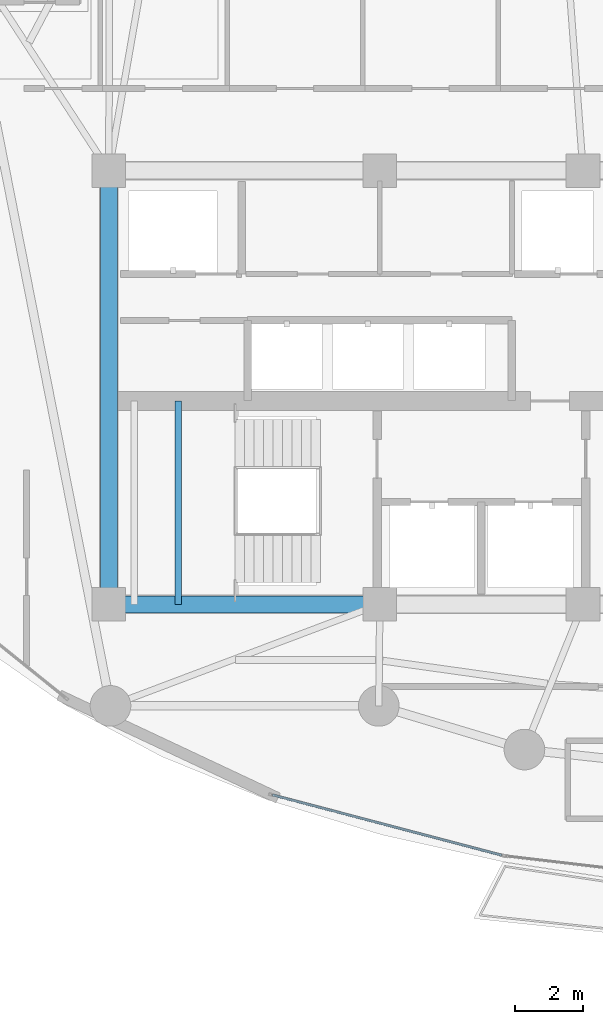
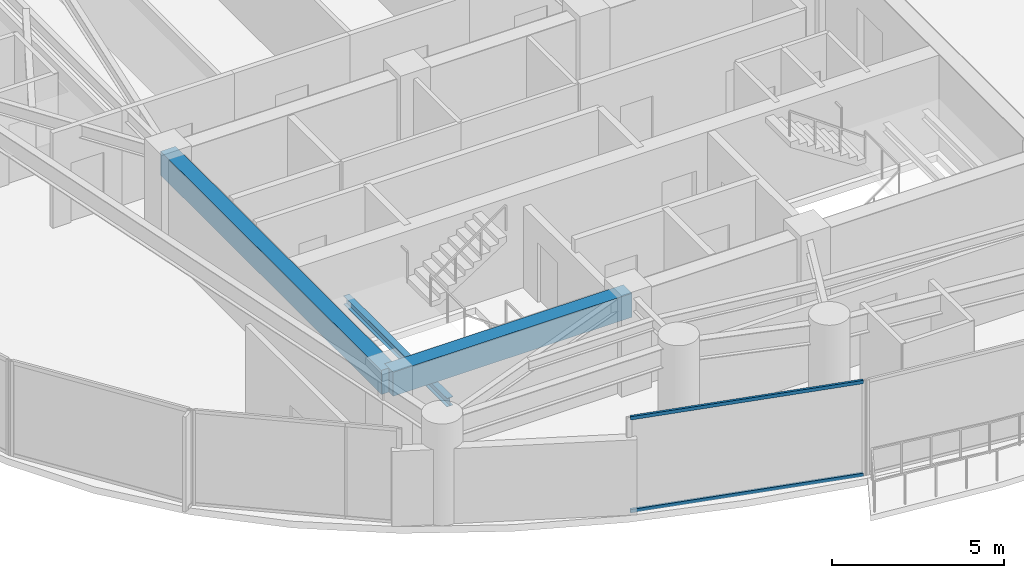
# One storey, part 4 of 34: 3 beams, 2 members, 1 element without a shape of its own.
"""IFC4 building model written with IfcOpenShell, lengths in metres."""

from ifc_helpers import new_model, si_unit, direction, frame, origin, origin_2d, place, context, subcontext, project, spatial, rectangle, hollow_rectangle, i_section, extrude, material, layer, layer_set, material_profile, profile_set, type_object, element, aggregate, save


model = new_model("IFC4")

# Units and contexts
model_context = context("Model", 3, precision=1e-05, world=origin(), true_north=direction((0.0, 1.0)))
body_context = subcontext(model_context, "Body", "Model", "MODEL_VIEW")
ifc_project = project(units=[si_unit("LENGTHUNIT", "METRE"), si_unit("AREAUNIT", "SQUARE_METRE"), si_unit("VOLUMEUNIT", "CUBIC_METRE"), si_unit("PLANEANGLEUNIT", "RADIAN"), si_unit("MASSUNIT", "GRAM", prefix="KILO")], contexts=[model_context])

# Site, building, storey
site_placement = place(None, origin())
site = spatial("IfcSite", under=ifc_project, at=site_placement, CompositionType="ELEMENT")
building_placement = place(site_placement, origin())
building = spatial("IfcBuilding", under=site, at=building_placement, Name="Kazevale Care Tower and Concert Hall", CompositionType="ELEMENT")
storey_placement = place(building_placement, frame((0.0, 0.0, 163.800048828125)))
storey = spatial("IfcBuildingStorey", under=building, at=storey_placement, Name="L43", CompositionType="ELEMENT", Elevation=163.800048828125)

# Curtain wall, members
ifc_material_1 = material(Name="Aluminium 6063-T6 and Low-E Glass", Category="aluminium")
ifc_layer = layer(ifc_material_1, 0.179931640625)
ifc_layer_set = layer_set([ifc_layer], Name="Aluminium 6063-T6 and Low-E Glass")
curtain_wall_type = type_object("IfcCurtainWallType", Name="Sheltered Concave Balcony Curtain Wall CW-5", PredefinedType="NOTDEFINED", material=ifc_layer_set)
curtain_wall_placement = place(storey_placement, origin())
curtain_wall = element("IfcCurtainWall", 1, at=curtain_wall_placement, inside=storey, type_object=curtain_wall_type, Name="cw:L43:f08", PredefinedType="NOTDEFINED")
ifc_material_2 = material(Name="Aluminium 6063-T6", Category="aluminium")
ifc_material_profile_1 = material_profile(ifc_material_2, hollow_rectangle(XDim=0.074951171875, YDim=0.1201171875, WallThickness=0.00390625, at=origin_2d()), Name="ALU75x120x4")
ifc_profile_set_1 = profile_set([ifc_material_profile_1], Name="Aluminium 6063-T6")
member_type = type_object("IfcMemberType", Name="CW-5 Transom ALU75x120x4", PredefinedType="USERDEFINED", material=ifc_profile_set_1)
member_1_placement = place(storey_placement, frame((33.598388671875, 16.193115234375, 0.037353515625), z_axis=(-0.967142752699, 0.254233939321, 0.0), x_axis=(-0.254233939321, -0.967142752699, 0.0)))
member_1 = element("IfcMember", 2, at=member_1_placement, type_object=member_type, Name="CW-5 transom 1.1", ObjectType="TRANSOM", PredefinedType="USERDEFINED", context=body_context, shape_type="SweptSolid", body=[
    extrude(hollow_rectangle(XDim=0.074951171875, YDim=0.1201171875, WallThickness=0.00390625, at=origin_2d()), origin(), (0.0, 0.0, 1.0), 6.996826171875),
])
member_2_placement = place(storey_placement, frame((33.598388671875, 16.193115234375, 3.322509765625), z_axis=(-0.967142752699, 0.254233939321, 0.0), x_axis=(-0.254233939321, -0.967142752699, 0.0)))
member_2 = element("IfcMember", 3, at=member_2_placement, type_object=member_type, Name="CW-5 transom 1.2", ObjectType="TRANSOM", PredefinedType="USERDEFINED", context=body_context, shape_type="SweptSolid", body=[
    extrude(hollow_rectangle(XDim=0.074951171875, YDim=0.1201171875, WallThickness=0.00390625, at=origin_2d()), origin(), (0.0, 0.0, 1.0), 6.996826171875),
])
aggregate(curtain_wall, [member_1, member_2])

# Beams
ifc_material_3 = material(Name="Concrete C60", Category="concrete")
ifc_material_profile_2 = material_profile(ifc_material_3, rectangle(XDim=0.5, YDim=0.85009765625, at=origin_2d()), Name="RC-B500x850")
ifc_profile_set_2 = profile_set([ifc_material_profile_2], Name="Concrete C60")
beam_type_1 = type_object("IfcBeamType", Name="Core Coupling Beam RC500x850", PredefinedType="LINTEL", material=ifc_profile_set_2)
beam_1_placement = place(storey_placement, frame((22.0, 23.60009765625, 2.93505859375), z_axis=(1.0, 0.0, 0.0), x_axis=(0.0, 1.0, 0.0)))
element("IfcBeam", 4, at=beam_1_placement, inside=storey, type_object=beam_type_1, Name="beam:L43:coretie:1", PredefinedType="LINTEL", context=body_context, shape_type="SweptSolid", body=[
    extrude(rectangle(XDim=0.5, YDim=0.85009765625, at=origin_2d()), origin(), (0.0, 0.0, 1.0), 8.0),
])
beam_2_placement = place(storey_placement, frame((22.0, 36.39990234375, 2.93505859375), z_axis=(0.0, -1.0, 0.0), x_axis=(1.0, 0.0, 0.0)))
element("IfcBeam", 5, at=beam_2_placement, inside=storey, type_object=beam_type_1, Name="beam:L43:coretie:8", PredefinedType="LINTEL", context=body_context, shape_type="SweptSolid", body=[
    extrude(rectangle(XDim=0.5, YDim=0.85009765625, at=origin_2d()), origin(), (0.0, 0.0, 1.0), 12.7998046875),
])
ifc_material_4 = material(Name="Steel ASTM A572 Gr 50", Category="steel")
ifc_material_profile_3 = material_profile(ifc_material_4, i_section(OverallWidth=0.202880859375, OverallDepth=0.302978515625, WebThickness=0.007568359375, FlangeThickness=0.01318359375, at=origin_2d()), Name="W310x60")
ifc_profile_set_3 = profile_set([ifc_material_profile_3], Name="Steel ASTM A572 Gr 50")
beam_type_2 = type_object("IfcBeamType", Name="Stair & Balcony Trimmer W310x60", PredefinedType="BEAM", material=ifc_profile_set_3)
beam_3_placement = place(storey_placement, frame((24.050048828125, 23.60009765625, 1.448486328125), z_axis=(0.0, 1.0, 0.0), x_axis=(-1.0, 0.0, 0.0)))
element("IfcBeam", 6, at=beam_3_placement, inside=storey, type_object=beam_type_2, Name="beam:L43:sttrim:ST1b", PredefinedType="BEAM", context=body_context, shape_type="SweptSolid", body=[
    extrude(i_section(OverallWidth=0.202880859375, OverallDepth=0.302978515625, WebThickness=0.007568359375, FlangeThickness=0.01318359375, at=origin_2d()), origin(), (0.0, 0.0, 1.0), 6.0),
])

save(model, "model.ifc")
